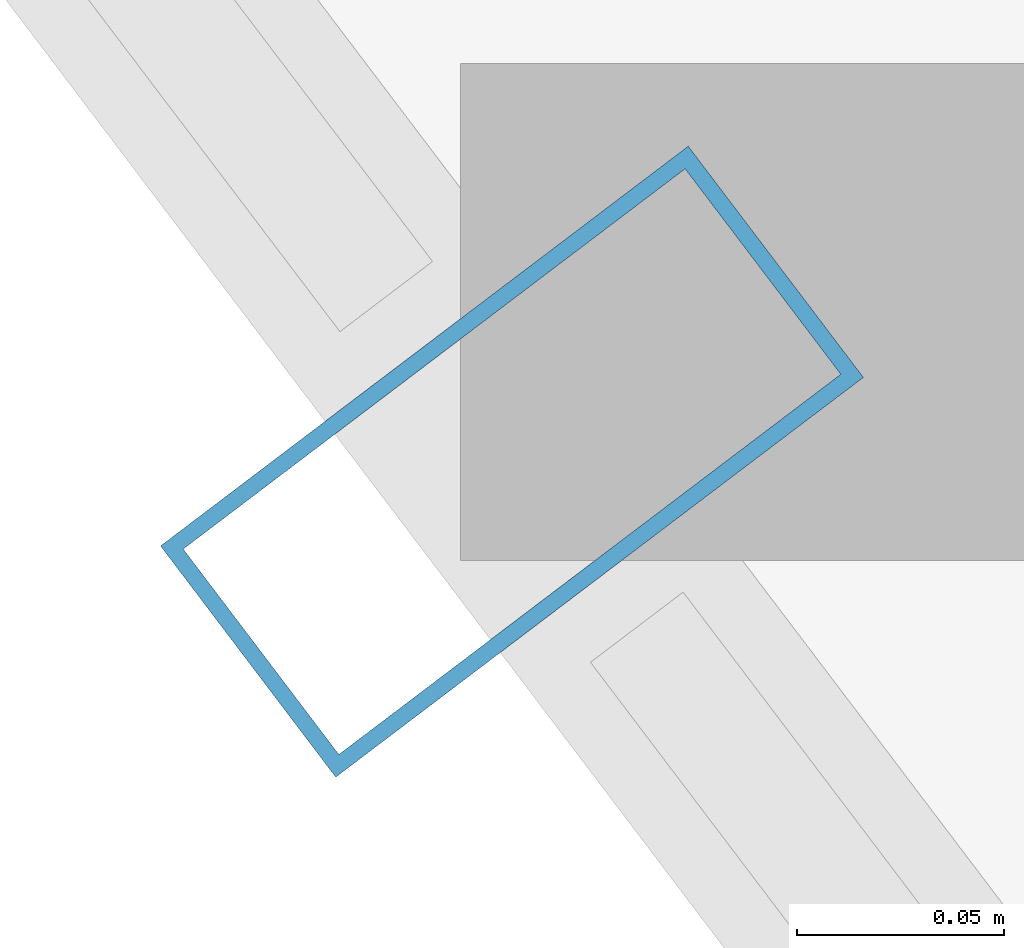
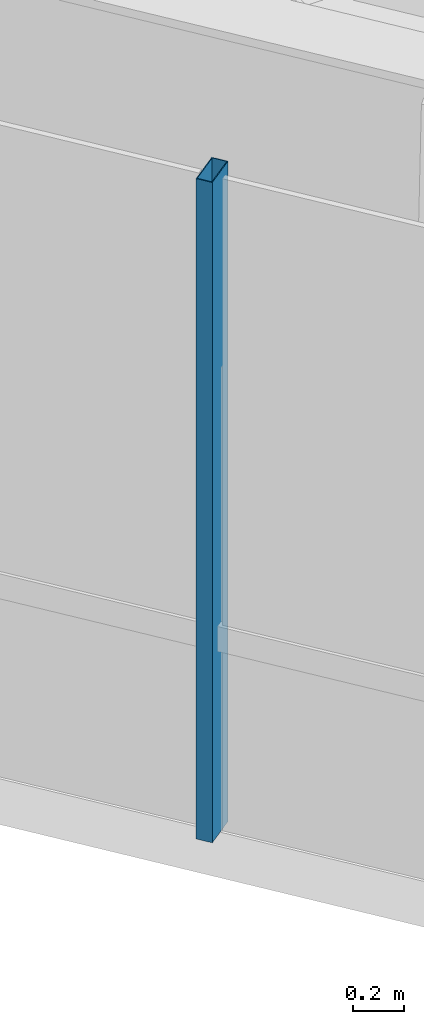
# One storey, part 5 of 27: 1 member, 1 element without a shape of its own.
"""IFC4 building model written with IfcOpenShell, lengths in metres."""

import ifcopenshell
import ifcopenshell.guid

model = None  # the IFC model being written
_history = None  # IfcOwnerHistory: only IFC2X3 demands one
_inside = {}  # id of a spatial element -> (the spatial element, [elements in it])
_under = {}  # id of a project, library or spatial element -> (it, [spatial elements below it])
_declared = {}  # id of a project -> (the project, [libraries it declares])
_typed = {}  # id of a type object -> (the type object, [elements of that type])
_made_of = {}  # id of a material, layer set ... -> (it, [elements and type objects made of it])


def new_model(schema):
    """Start an empty IFC model of exactly this schema.

    Asked for "IFC4X3", IfcOpenShell would pick the latest addendum, in which some entities
    have other attributes; the version numbers below select the first issue.
    IFC2X3 requires an IfcOwnerHistory on every rooted entity: one is made here for all.
    """
    global model, _history
    if schema == "IFC4X3":
        model = ifcopenshell.file(schema_version=(4, 3, 0, 0))
    else:
        model = ifcopenshell.file(schema=schema)
    _inside.clear()
    _under.clear()
    _declared.clear()
    _typed.clear()
    _made_of.clear()
    _history = None
    if model.schema == "IFC2X3":
        org = make("IfcOrganization", Name="unknown")
        user = make(
            "IfcPersonAndOrganization",
            ThePerson=make("IfcPerson", FamilyName="unknown"),
            TheOrganization=org,
        )
        app = make(
            "IfcApplication",
            ApplicationDeveloper=org,
            Version="unknown",
            ApplicationFullName="unknown",
            ApplicationIdentifier="unknown",
        )
        _history = make(
            "IfcOwnerHistory",
            OwningUser=user,
            OwningApplication=app,
            ChangeAction="ADDED",
            CreationDate=0,
        )
    return model


def make(cls, **values):
    """One entity of the class cls with the attributes given. An attribute that is None is left unset."""
    return model.create_entity(
        cls, **{name: value for name, value in values.items() if value is not None}
    )


def rooted(cls, **values):
    """An entity with a GlobalId (a new one), such as an element, a storey or a relation."""
    return make(cls, GlobalId=ifcopenshell.guid.new(), OwnerHistory=_history, **values)


def si_unit(unit_type, name, prefix=None):
    """IfcSIUnit, for example si_unit("LENGTHUNIT", "METRE", prefix="MILLI")."""
    return make("IfcSIUnit", UnitType=unit_type, Prefix=prefix, Name=name)


def assignment(units):
    """IfcUnitAssignment: the units of a project."""
    return None if units is None else make("IfcUnitAssignment", Units=units)


def point(xyz):
    """IfcCartesianPoint."""
    return None if xyz is None else make("IfcCartesianPoint", Coordinates=xyz)


def direction(xyz):
    """IfcDirection."""
    return None if xyz is None else make("IfcDirection", DirectionRatios=xyz)


def frame(location, z_axis=None, x_axis=None):
    """IfcAxis2Placement3D, a coordinate frame: its origin and axes. An axis left out is left unset."""
    return make(
        "IfcAxis2Placement3D",
        Location=point(location),
        Axis=direction(z_axis),
        RefDirection=direction(x_axis),
    )


def frame_2d(location, x_axis=None):
    """IfcAxis2Placement2D, a coordinate frame in the plane: its origin and x axis."""
    return make(
        "IfcAxis2Placement2D", Location=point(location), RefDirection=direction(x_axis)
    )


def origin():
    """The frame at (0, 0, 0) with its axes left unset."""
    return frame((0.0, 0.0, 0.0))


def origin_2d():
    """The frame at (0, 0) in the plane with its x axis left unset."""
    return frame_2d((0.0, 0.0))


def place(relative_to, where):
    """IfcLocalPlacement: puts the frame where relative to a parent placement (None: the world)."""
    return make(
        "IfcLocalPlacement", PlacementRelTo=relative_to, RelativePlacement=where
    )


def context(
    kind, dimensions, precision=None, world=None, true_north=None, identifier=None
):
    """IfcGeometricRepresentationContext, for example the 3D "Model" context."""
    return make(
        "IfcGeometricRepresentationContext",
        ContextIdentifier=identifier,
        ContextType=kind,
        CoordinateSpaceDimension=dimensions,
        Precision=precision,
        WorldCoordinateSystem=world,
        TrueNorth=true_north,
    )


def subcontext(parent, identifier, kind, view, scale=None):
    """IfcGeometricRepresentationSubContext, for example "Body" below "Model"."""
    return make(
        "IfcGeometricRepresentationSubContext",
        ContextIdentifier=identifier,
        ContextType=kind,
        ParentContext=parent,
        TargetScale=scale,
        TargetView=view,
    )


def project(units=None, contexts=None):
    """IfcProject with its units and contexts."""
    return rooted(
        "IfcProject",
        Name="project",
        RepresentationContexts=contexts,
        UnitsInContext=assignment(units),
    )


def spatial(cls, under=None, at=None, **own):
    """A site, building, storey or space (cls), placed at a placement, below another one or the project."""
    s = rooted(cls, ObjectPlacement=at, **own)
    if under is not None:
        _under.setdefault(under.id(), (under, []))[1].append(s)
    return s


def profile(cls, at=None, kind="AREA", **sizes):
    """A parametric profile (cls). Its sizes go by their IFC names, for example OverallWidth=200.0."""
    return make(cls, ProfileType=kind, Position=at, **sizes)


def hollow_rectangle(**sizes):
    """IfcRectangleHollowProfileDef."""
    return profile("IfcRectangleHollowProfileDef", **sizes)


def extrude(swept, where, along, depth):
    """IfcExtrudedAreaSolid: the profile swept, set in the frame where, extruded along a direction by depth."""
    return make(
        "IfcExtrudedAreaSolid",
        SweptArea=swept,
        Position=where,
        ExtrudedDirection=direction(along),
        Depth=depth,
    )


def shape(context_of_items, identifier, shape_type, items):
    """IfcShapeRepresentation: the items that make up one representation, for example the "Body"."""
    return make(
        "IfcShapeRepresentation",
        ContextOfItems=context_of_items,
        RepresentationIdentifier=identifier,
        RepresentationType=shape_type,
        Items=items,
    )


def material(Name=None, Category=None):
    """IfcMaterial."""
    return make("IfcMaterial", Name=Name, Category=Category)


def layer(
    of_material, thickness, ventilated=None, Name=None, Category=None, Priority=None
):
    """IfcMaterialLayer: one layer of a wall or slab, of a material (None: an air gap)."""
    return make(
        "IfcMaterialLayer",
        Material=of_material,
        LayerThickness=thickness,
        IsVentilated=ventilated,
        Name=Name,
        Category=Category,
        Priority=Priority,
    )


def layer_set(layers, Name=None):
    """IfcMaterialLayerSet."""
    return make("IfcMaterialLayerSet", MaterialLayers=layers, LayerSetName=Name)


def material_profile(
    of_material, cross_section, Name=None, Category=None, Priority=None
):
    """IfcMaterialProfile: a cross section and its material."""
    return make(
        "IfcMaterialProfile",
        Name=Name,
        Material=of_material,
        Profile=cross_section,
        Priority=Priority,
        Category=Category,
    )


def profile_set(profiles, Name=None, composite=None):
    """IfcMaterialProfileSet."""
    return make(
        "IfcMaterialProfileSet",
        Name=Name,
        MaterialProfiles=profiles,
        CompositeProfile=composite,
    )


def made_of(thing, what):
    """Note that an element or type object is made of a material, layer set ...; save() writes the relation."""
    if what is not None:
        _made_of.setdefault(what.id(), (what, []))[1].append(thing)
    return thing


def type_object(cls, material=None, **own):
    """A type object (cls), such as IfcWallType, which elements share."""
    return made_of(rooted(cls, **own), material)


def element(
    cls,
    number,
    at=None,
    inside=None,
    cuts=None,
    type_object=None,
    material=None,
    context=None,
    identifier="Body",
    shape_type=None,
    held_by="IfcProductDefinitionShape",
    body=None,
    shapes=None,
    **own,
):
    """One element of the class cls, such as IfcWall. Its Tag is "e" and its number.

    at: its placement. inside: the storey or other place that contains it. cuts: it is an
    opening in that element (IfcRelVoidsElement). A single representation is given by context,
    identifier, shape_type and body (its items); several are given by shapes. held_by: the class
    of the entity that holds the representations. save() writes the other relations.
    """
    e = rooted(cls, Tag="e%d" % number, ObjectPlacement=at, **own)
    if body is not None:
        shapes = [shape(context, identifier, shape_type, body)]
    if shapes is not None:
        e.Representation = make(held_by, Representations=shapes)
    if inside is not None:
        _inside.setdefault(inside.id(), (inside, []))[1].append(e)
    if cuts is not None:
        rooted(
            "IfcRelVoidsElement", RelatingBuildingElement=cuts, RelatedOpeningElement=e
        )
    if type_object is not None:
        _typed.setdefault(type_object.id(), (type_object, []))[1].append(e)
    return made_of(e, material)


def aggregate(whole, parts):
    """IfcRelAggregates: a whole, such as a stair, and the parts it consists of."""
    return rooted("IfcRelAggregates", RelatingObject=whole, RelatedObjects=parts)


def save(model, path):
    """Write the relations noted so far, then the file.

    IfcRelAggregates (storeys below a building ...), IfcRelContainedInSpatialStructure (elements
    in a storey), IfcRelDefinesByType, IfcRelAssociatesMaterial and IfcRelDeclares: one each for
    every whole, place, type object, material and project.
    """
    for whole, parts in _under.values():
        aggregate(whole, parts)
    for where, things in _inside.values():
        rooted(
            "IfcRelContainedInSpatialStructure",
            RelatedElements=things,
            RelatingStructure=where,
        )
    for kind, things in _typed.values():
        rooted("IfcRelDefinesByType", RelatedObjects=things, RelatingType=kind)
    for what, things in _made_of.values():
        rooted("IfcRelAssociatesMaterial", RelatedObjects=things, RelatingMaterial=what)
    for by, libraries in _declared.values():
        rooted("IfcRelDeclares", RelatingContext=by, RelatedDefinitions=libraries)
    model.write(path)


model = new_model("IFC4")

# Units and contexts
model_context = context("Model", 3, precision=1e-05, world=origin(), true_north=direction((0.0, 1.0)))
body_context = subcontext(model_context, "Body", "Model", "MODEL_VIEW")
ifc_project = project(units=[si_unit("LENGTHUNIT", "METRE"), si_unit("AREAUNIT", "SQUARE_METRE"), si_unit("VOLUMEUNIT", "CUBIC_METRE"), si_unit("PLANEANGLEUNIT", "RADIAN"), si_unit("MASSUNIT", "GRAM", prefix="KILO")], contexts=[model_context])

# Site, building, storey
site_placement = place(None, origin())
site = spatial("IfcSite", under=ifc_project, at=site_placement, CompositionType="ELEMENT")
building_placement = place(site_placement, origin())
building = spatial("IfcBuilding", under=site, at=building_placement, Name="Zarrinselat Tower", CompositionType="ELEMENT")
storey_placement = place(building_placement, frame((0.0, 0.0, 225.760009765625)))
storey = spatial("IfcBuildingStorey", under=building, at=storey_placement, Name="L56", CompositionType="ELEMENT", Elevation=225.760009765625)

# Curtain wall, member
ifc_material_1 = material(Name="Extruded Aluminium Alloy EN AW-6063 T6", Category="aluminium")
ifc_layer = layer(ifc_material_1, 0.169921875)
ifc_layer_set = layer_set([ifc_layer], Name="Extruded Aluminium Alloy EN AW-6063 T6")
curtain_wall_type = type_object("IfcCurtainWallType", Name="CWS-RES", PredefinedType="NOTDEFINED", material=ifc_layer_set)
curtain_wall_placement = place(storey_placement, origin())
curtain_wall = element("IfcCurtainWall", 1, at=curtain_wall_placement, inside=storey, type_object=curtain_wall_type, Name="L56 Unitised Curtain Wall CW-L56-E03", PredefinedType="NOTDEFINED")
ifc_material_2 = material(Name="Extruded Aluminium Alloy EN AW-6063 T6", Category="aluminium")
ifc_material_profile = material_profile(ifc_material_2, hollow_rectangle(XDim=0.070068359375, YDim=0.159912109375, WallThickness=0.00390625, at=origin_2d()), Name="RHS 160x70x4")
ifc_profile_set = profile_set([ifc_material_profile], Name="Extruded Aluminium Alloy EN AW-6063 T6")
member_type = type_object("IfcMemberType", Name="MEM-CW-MUL2", PredefinedType="MULLION", material=ifc_profile_set)
member_placement = place(storey_placement, frame((23.201171875, 30.11376953125, 0.0), z_axis=(0.0, 0.0, 1.0), x_axis=(0.603859787908, -0.797090557307, 0.0)))
member = element("IfcMember", 2, at=member_placement, type_object=member_type, Name="CW-L56-E03 Mullion 4", PredefinedType="MULLION", context=body_context, shape_type="SweptSolid", body=[
    extrude(hollow_rectangle(XDim=0.070068359375, YDim=0.159912109375, WallThickness=0.00390625, at=origin_2d()), origin(), (0.0, 0.0, 1.0), 3.179931640625),
])
aggregate(curtain_wall, [member])

save(model, "model.ifc")
